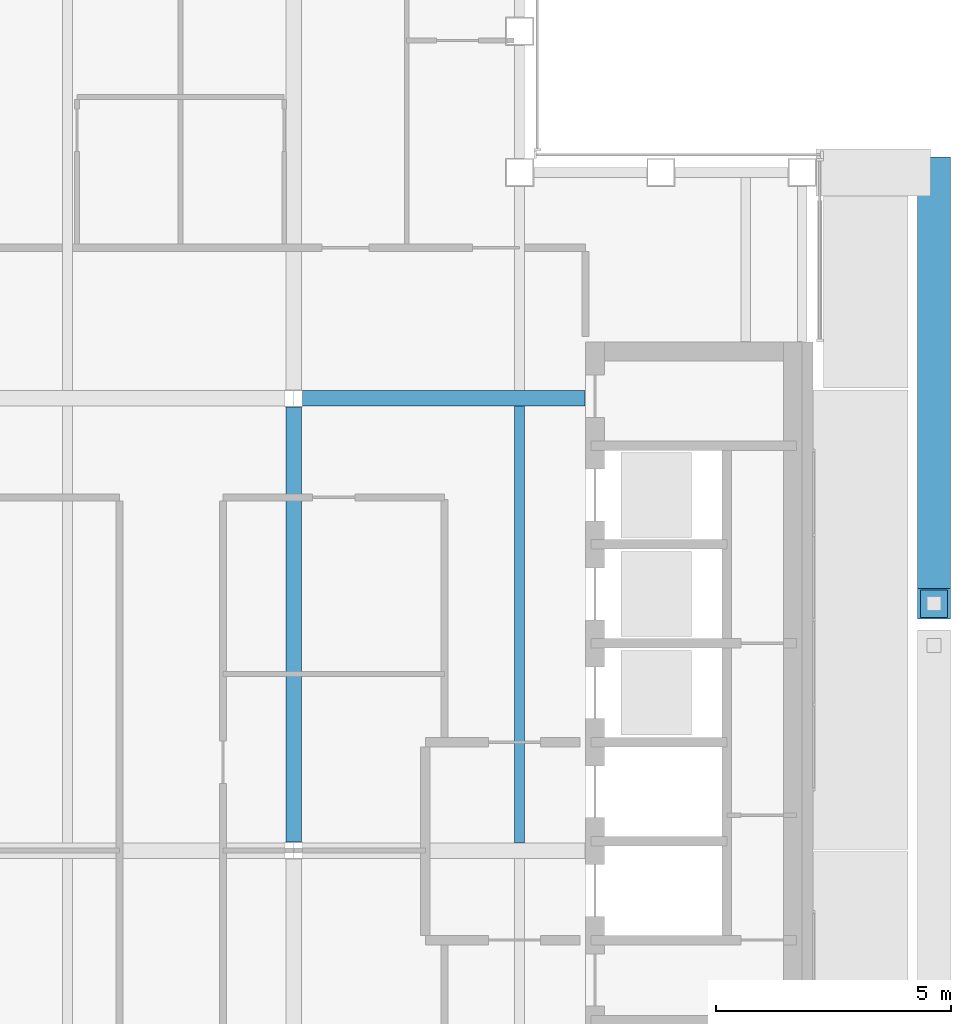
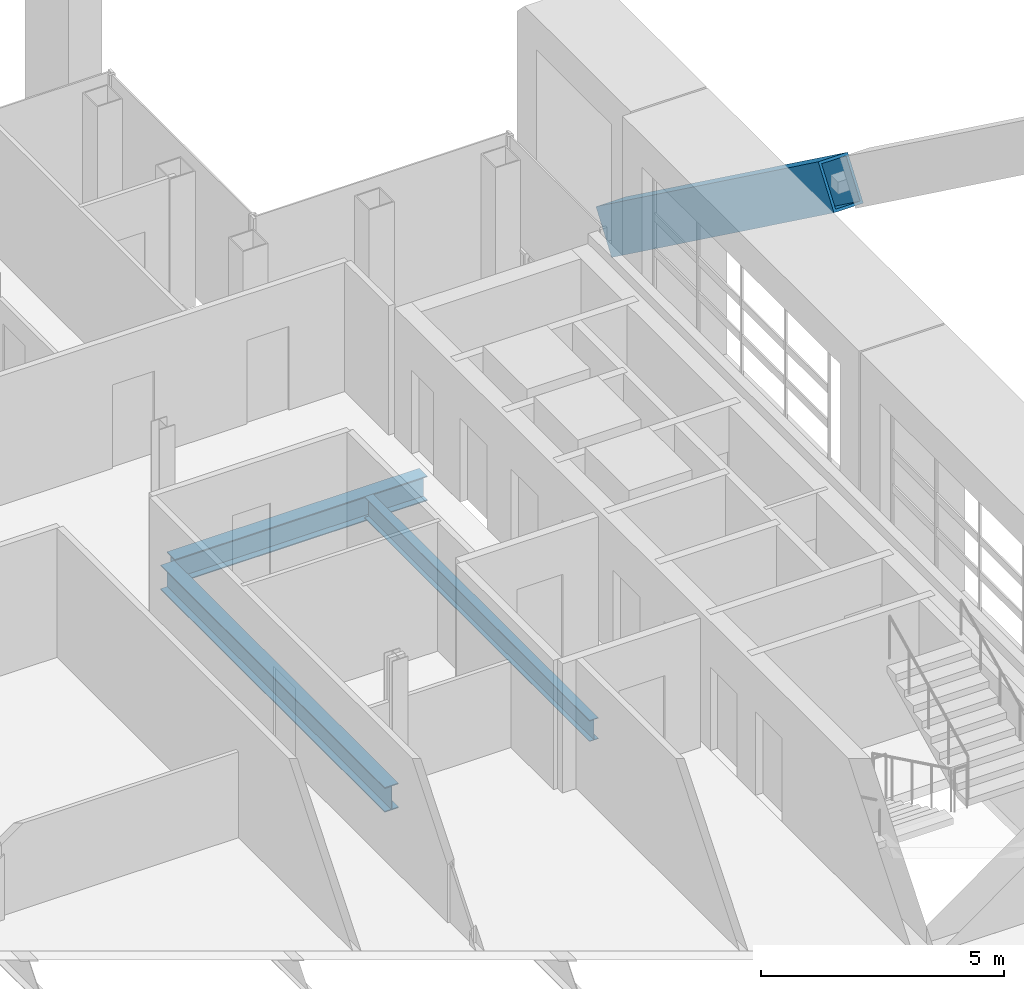
# One storey, part 8 of 23: 3 beams, 1 member.
"""IFC4 building model written with IfcOpenShell, lengths in metres."""

from ifc_helpers import new_model, si_unit, direction, frame, origin, origin_2d, place, context, subcontext, project, spatial, hollow_rectangle, i_section, extrude, material, material_profile, profile_set, type_object, element, save


model = new_model("IFC4")

# Units and contexts
model_context = context("Model", 3, precision=1e-05, world=origin(), true_north=direction((0.0, 1.0)))
body_context = subcontext(model_context, "Body", "Model", "MODEL_VIEW")
ifc_project = project(units=[si_unit("LENGTHUNIT", "METRE"), si_unit("AREAUNIT", "SQUARE_METRE"), si_unit("VOLUMEUNIT", "CUBIC_METRE"), si_unit("PLANEANGLEUNIT", "RADIAN"), si_unit("MASSUNIT", "GRAM", prefix="KILO")], contexts=[model_context])

# Site, building, storey
site_placement = place(None, origin())
site = spatial("IfcSite", under=ifc_project, at=site_placement, CompositionType="ELEMENT")
building_placement = place(site_placement, origin())
building = spatial("IfcBuilding", under=site, at=building_placement, Name="Cobrizo Arcos Hotel Tower", CompositionType="ELEMENT")
storey_placement = place(building_placement, frame((0.0, 0.0, 262.0)))
storey = spatial("IfcBuildingStorey", under=building, at=storey_placement, Name="L69", CompositionType="ELEMENT", Elevation=262.0)

# Member
ifc_material_1 = material(Name="Steel ASTM A572 Grade 50", Category="steel")
ifc_material_profile_1 = material_profile(ifc_material_1, hollow_rectangle(XDim=0.699951171875, YDim=1.10009765625, WallThickness=0.06005859375, at=origin_2d()), Name="BOX 700X1100X60")
ifc_profile_set_1 = profile_set([ifc_material_profile_1], Name="Steel ASTM A572 Grade 50")
member_type = type_object("IfcMemberType", Name="BOX 700X1100X60 perimeter brace", PredefinedType="BRACE", material=ifc_profile_set_1)
member_placement = place(storey_placement, frame((23.199951171875, 14.39990234375, 0.5), z_axis=(0.0, -0.808010734919, 0.589167762404), x_axis=(1.0, 0.0, 0.0)))
element("IfcMember", 1, at=member_placement, inside=storey, type_object=member_type, Name="Perimeter brace PBR5, zone Z5, east face, no. 03", PredefinedType="BRACE", context=body_context, shape_type="SweptSolid", body=[
    extrude(hollow_rectangle(XDim=0.699951171875, YDim=1.10009765625, WallThickness=0.06005859375, at=origin_2d()), origin(), (0.0, 0.0, 1.0), 11.333251953125),
])

# Beams
ifc_material_2 = material(Name="Steel ASTM A992 Grade 50", Category="steel")
ifc_material_profile_2 = material_profile(ifc_material_2, i_section(OverallWidth=0.209228515625, OverallDepth=0.533447265625, WebThickness=0.01025390625, FlangeThickness=0.015625, at=origin_2d()), Name="W21X62")
ifc_profile_set_2 = profile_set([ifc_material_profile_2], Name="Steel ASTM A992 Grade 50")
beam_type_1 = type_object("IfcBeamType", Name="W21X62 joist", PredefinedType="JOIST", material=ifc_profile_set_2)
beam_1_placement = place(storey_placement, frame((14.39990234375, 0.163818359375, -0.416748046875), z_axis=(0.0, 1.0, 0.0), x_axis=(-1.0, 0.0, 0.0)))
element("IfcBeam", 2, at=beam_1_placement, inside=storey, type_object=beam_type_1, Name="Floor joist J1, L69, no. 017", PredefinedType="JOIST", context=body_context, shape_type="SweptSolid", body=[
    extrude(i_section(OverallWidth=0.209228515625, OverallDepth=0.533447265625, WebThickness=0.01025390625, FlangeThickness=0.015625, at=origin_2d()), origin(), (0.0, 0.0, 1.0), 9.272216796875),
])
ifc_material_profile_3 = material_profile(ifc_material_2, i_section(OverallWidth=0.32763671875, OverallDepth=0.622314453125, WebThickness=0.015380859375, FlangeThickness=0.0244140625, at=origin_2d()), Name="W24X131")
ifc_profile_set_3 = profile_set([ifc_material_profile_3], Name="Steel ASTM A992 Grade 50")
beam_type_2 = type_object("IfcBeamType", Name="W24X131 girder", PredefinedType="BEAM", material=ifc_profile_set_3)
beam_2_placement = place(storey_placement, frame((9.7841796875, 9.60009765625, -0.461181640625), z_axis=(1.0, 0.0, 0.0), x_axis=(0.0, 1.0, 0.0)))
element("IfcBeam", 3, at=beam_2_placement, inside=storey, type_object=beam_type_2, Name="Floor girder G1, L69, no. 012", PredefinedType="BEAM", context=body_context, shape_type="SweptSolid", body=[
    extrude(i_section(OverallWidth=0.32763671875, OverallDepth=0.622314453125, WebThickness=0.015380859375, FlangeThickness=0.0244140625, at=origin_2d()), origin(), (0.0, 0.0, 1.0), 6.005859375),
])
beam_3_placement = place(storey_placement, frame((9.60009765625, 0.18408203125, -0.461181640625), z_axis=(0.0, 1.0, 0.0), x_axis=(-1.0, 0.0, 0.0)))
element("IfcBeam", 4, at=beam_3_placement, inside=storey, type_object=beam_type_2, Name="Floor girder G1, L69, no. 023", PredefinedType="BEAM", context=body_context, shape_type="SweptSolid", body=[
    extrude(i_section(OverallWidth=0.32763671875, OverallDepth=0.622314453125, WebThickness=0.015380859375, FlangeThickness=0.0244140625, at=origin_2d()), origin(), (0.0, 0.0, 1.0), 9.231689453125),
])

save(model, "model.ifc")
